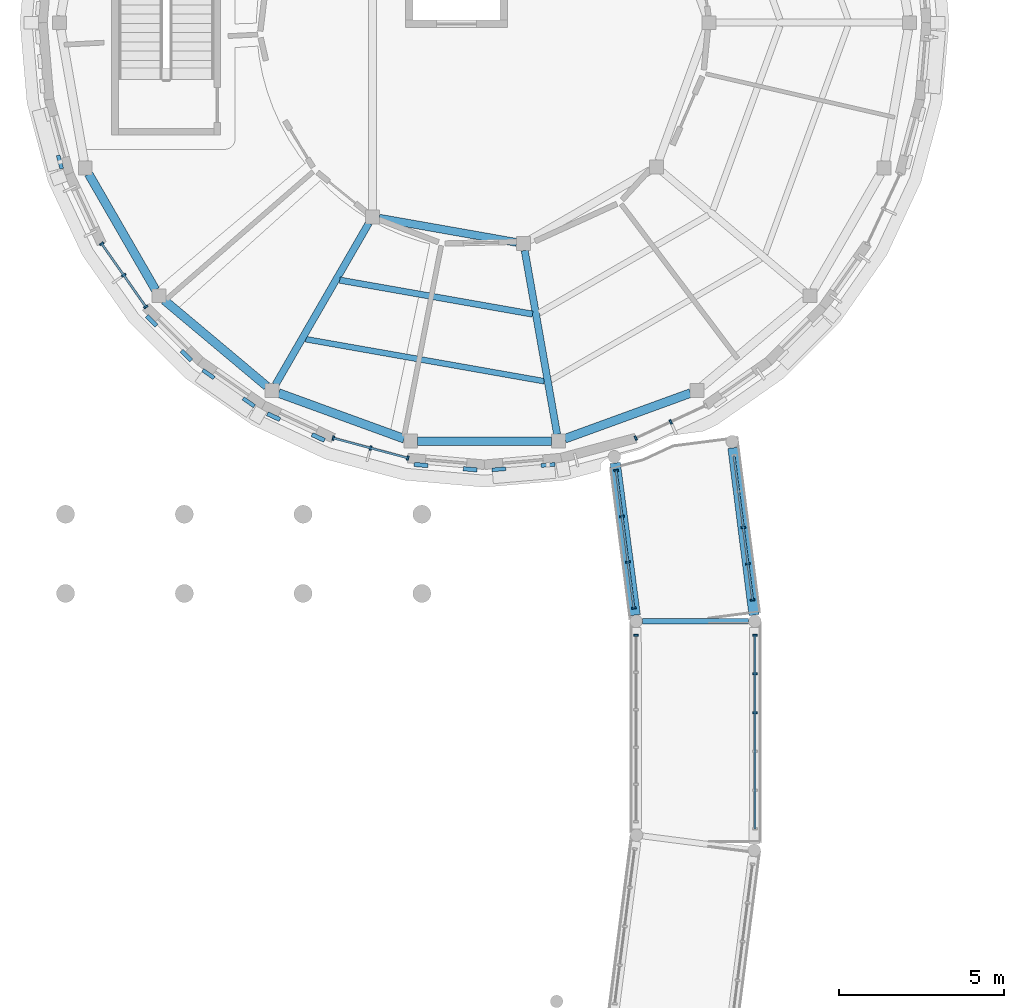
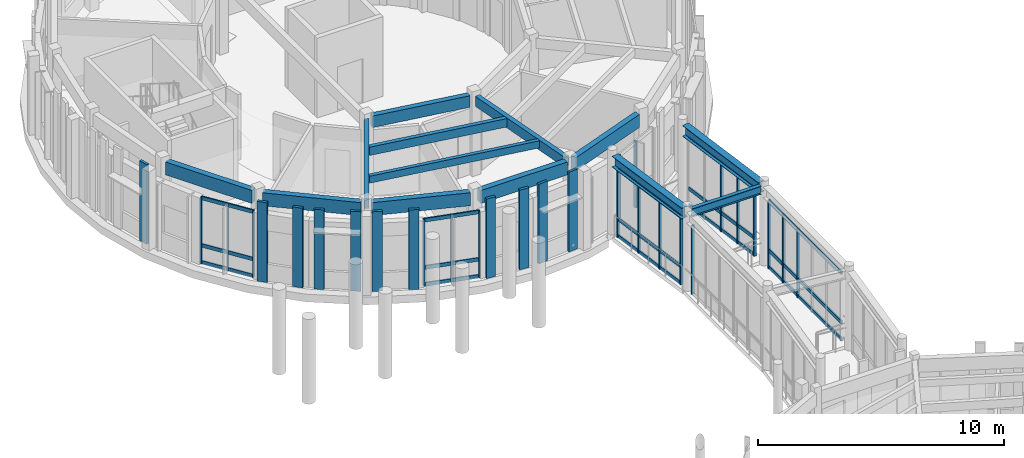
# One storey, part 18 of 80: 45 members, 13 beams, 7 elements without a shape of their own.
"""IFC4 building model written with IfcOpenShell, lengths in metres."""

from ifc_helpers import new_model, si_unit, direction, frame, origin, origin_2d, place, context, subcontext, project, spatial, rectangle, i_section, extrude, material, layer, layer_set, material_profile, profile_set, type_object, element, aggregate, save


model = new_model("IFC4")

# Units and contexts
model_context = context("Model", 3, precision=1e-05, world=origin(), true_north=direction((0.0, 1.0)))
body_context = subcontext(model_context, "Body", "Model", "MODEL_VIEW")
ifc_project = project(units=[si_unit("LENGTHUNIT", "METRE"), si_unit("AREAUNIT", "SQUARE_METRE"), si_unit("VOLUMEUNIT", "CUBIC_METRE"), si_unit("PLANEANGLEUNIT", "RADIAN"), si_unit("MASSUNIT", "GRAM", prefix="KILO")], contexts=[model_context])

# Site, building, storey
site_placement = place(None, origin())
site = spatial("IfcSite", under=ifc_project, at=site_placement, CompositionType="ELEMENT")
building_placement = place(site_placement, origin())
building = spatial("IfcBuilding", under=site, at=building_placement, Name="Aldenvaro Health Centre", CompositionType="ELEMENT")
storey_placement = place(building_placement, frame((0.0, 0.0, 4.550048828125)))
storey = spatial("IfcBuildingStorey", under=building, at=storey_placement, Name="L01", CompositionType="ELEMENT", Elevation=4.550048828125)

# Beams
ifc_material_1 = material(Name="Glulam GL28h", Category="wood")
ifc_material_profile_1 = material_profile(ifc_material_1, rectangle(XDim=0.175048828125, YDim=0.35009765625, at=origin_2d()), Name="GL 175x350", Category="wood")
ifc_profile_set_1 = profile_set([ifc_material_profile_1], Name="Glulam GL28h")
beam_type_1 = type_object("IfcBeamType", Name="BM-GL-350", PredefinedType="JOIST", material=ifc_profile_set_1)
beam_1_placement = place(storey_placement, frame((13.077880859375, 89.906982421875, 3.780029296875), z_axis=(0.984808635893, -0.173643170525, 0.0), x_axis=(0.173643170525, 0.984808635893, 0.0)))
element("IfcBeam", 1, at=beam_1_placement, inside=storey, type_object=beam_type_1, Name="D4 L01 secondary joist 04.2", PredefinedType="JOIST", context=body_context, shape_type="SweptSolid", body=[
    extrude(rectangle(XDim=0.175048828125, YDim=0.35009765625, at=origin_2d()), origin(), (0.0, 0.0, 1.0), 7.34765625),
])
ifc_material_profile_2 = material_profile(ifc_material_1, rectangle(XDim=0.18994140625, YDim=0.41796875, at=origin_2d()), Name="GL 190x418", Category="wood")
ifc_profile_set_2 = profile_set([ifc_material_profile_2], Name="Glulam GL28h")
beam_type_2 = type_object("IfcBeamType", Name="BM-GL-418", PredefinedType="JOIST", material=ifc_profile_set_2)
beam_2_placement = place(storey_placement, frame((14.111083984375, 91.697021484375, 3.745849609375), z_axis=(0.98479184112, -0.173738394329, 0.0), x_axis=(0.173738394329, 0.98479184112, 0.0)))
element("IfcBeam", 2, at=beam_2_placement, inside=storey, type_object=beam_type_2, Name="D4 L01 secondary joist 04.1", PredefinedType="JOIST", context=body_context, shape_type="SweptSolid", body=[
    extrude(rectangle(XDim=0.18994140625, YDim=0.41796875, at=origin_2d()), origin(), (0.0, 0.0, 1.0), 5.934326171875),
])
ifc_material_profile_3 = material_profile(ifc_material_1, rectangle(XDim=0.215087890625, YDim=0.493896484375, at=origin_2d()), Name="GL 215x494", Category="wood")
ifc_profile_set_3 = profile_set([ifc_material_profile_3], Name="Glulam GL28h")
beam_type_3 = type_object("IfcBeamType", Name="BM-GL-494", PredefinedType="BEAM", material=ifc_profile_set_3)
beam_3_placement = place(storey_placement, frame((14.9951171875, 93.428955078125, 3.7080078125), z_axis=(-0.500073465784, -0.865982984139, 0.0), x_axis=(0.865982984139, -0.500073465784, 0.0)))
element("IfcBeam", 3, at=beam_3_placement, inside=storey, type_object=beam_type_3, Name="D4 L01 radial beam 04", PredefinedType="BEAM", context=body_context, shape_type="SweptSolid", body=[
    extrude(rectangle(XDim=0.215087890625, YDim=0.493896484375, at=origin_2d()), origin(), (0.0, 0.0, 1.0), 5.659423828125),
])
beam_4_placement = place(storey_placement, frame((19.717041015625, 92.595947265625, 3.7080078125), z_axis=(0.173856703675, -0.984770961487, 0.0), x_axis=(0.984770961487, 0.173856703675, 0.0)))
element("IfcBeam", 4, at=beam_4_placement, inside=storey, type_object=beam_type_3, Name="D4 L01 radial beam 05", PredefinedType="BEAM", context=body_context, shape_type="SweptSolid", body=[
    extrude(rectangle(XDim=0.215087890625, YDim=0.493896484375, at=origin_2d()), origin(), (0.0, 0.0, 1.0), 5.6591796875),
])
ifc_material_profile_4 = material_profile(ifc_material_1, rectangle(XDim=0.239990234375, YDim=0.570068359375, at=origin_2d()), Name="GL 240x570", Category="wood")
ifc_profile_set_4 = profile_set([ifc_material_profile_4], Name="Glulam GL28h")
beam_type_4 = type_object("IfcBeamType", Name="BM-GL-570", PredefinedType="BEAM", material=ifc_profile_set_4)
beam_5_placement = place(storey_placement, frame((15.306884765625, 93.574951171875, 3.669921875), z_axis=(0.984765548602, -0.173887360917, 0.0), x_axis=(0.173887360917, 0.984765548602, 0.0)))
element("IfcBeam", 5, at=beam_5_placement, inside=storey, type_object=beam_type_4, Name="D4 L01 inner ring beam 04", PredefinedType="BEAM", context=body_context, shape_type="SweptSolid", body=[
    extrude(rectangle(XDim=0.239990234375, YDim=0.570068359375, at=origin_2d()), origin(), (0.0, 0.0, 1.0), 4.231689453125),
])
ifc_material_profile_5 = material_profile(ifc_material_1, rectangle(XDim=0.264892578125, YDim=0.64599609375, at=origin_2d()), Name="GL 265x646", Category="wood")
ifc_profile_set_5 = profile_set([ifc_material_profile_5], Name="Glulam GL28h")
beam_type_5 = type_object("IfcBeamType", Name="BM-GL-646", PredefinedType="SPANDREL", material=ifc_profile_set_5)
beam_6_placement = place(storey_placement, frame((6.501953125, 94.9130859375, 3.6318359375), z_axis=(0.499929300108, -0.866066218539, 0.0), x_axis=(0.866066218539, 0.499929300108, 0.0)))
element("IfcBeam", 6, at=beam_6_placement, inside=storey, type_object=beam_type_5, Name="D4 L01 perimeter spandrel 11", PredefinedType="SPANDREL", context=body_context, shape_type="SweptSolid", body=[
    extrude(rectangle(XDim=0.264892578125, YDim=0.64599609375, at=origin_2d()), origin(), (0.0, 0.0, 1.0), 4.052734375),
])
beam_7_placement = place(storey_placement, frame((8.7939453125, 91.0859375, 3.6318359375), z_axis=(0.766093948171, -0.642728607248, 0.0), x_axis=(0.642728607248, 0.766093948171, 0.0)))
element("IfcBeam", 7, at=beam_7_placement, inside=storey, type_object=beam_type_5, Name="D4 L01 perimeter spandrel 12", PredefinedType="SPANDREL", context=body_context, shape_type="SweptSolid", body=[
    extrude(rectangle(XDim=0.264892578125, YDim=0.64599609375, at=origin_2d()), origin(), (0.0, 0.0, 1.0), 4.052978515625),
])
beam_8_placement = place(storey_placement, frame((12.257080078125, 88.27392578125, 3.6318359375), z_axis=(0.939717777656, -0.341951017483, 0.0), x_axis=(0.341951017483, 0.939717777656, 0.0)))
element("IfcBeam", 8, at=beam_8_placement, inside=storey, type_object=beam_type_5, Name="D4 L01 perimeter spandrel 13", PredefinedType="SPANDREL", context=body_context, shape_type="SweptSolid", body=[
    extrude(rectangle(XDim=0.264892578125, YDim=0.64599609375, at=origin_2d()), origin(), (0.0, 0.0, 1.0), 4.05322265625),
])
beam_9_placement = place(storey_placement, frame((16.472900390625, 86.81591796875, 3.6318359375), z_axis=(1.0, 0.0, 0.0), x_axis=(0.0, 1.0, 0.0)))
element("IfcBeam", 9, at=beam_9_placement, inside=storey, type_object=beam_type_5, Name="D4 L01 perimeter spandrel 14", PredefinedType="SPANDREL", context=body_context, shape_type="SweptSolid", body=[
    extrude(rectangle(XDim=0.264892578125, YDim=0.64599609375, at=origin_2d()), origin(), (0.0, 0.0, 1.0), 4.05419921875),
])
beam_10_placement = place(storey_placement, frame((20.93408203125, 86.887939453125, 3.6318359375), z_axis=(0.939717777656, 0.341951017483, 0.0), x_axis=(-0.341951017483, 0.939717777656, 0.0)))
element("IfcBeam", 10, at=beam_10_placement, inside=storey, type_object=beam_type_5, Name="D4 L01 perimeter spandrel 15", PredefinedType="SPANDREL", context=body_context, shape_type="SweptSolid", body=[
    extrude(rectangle(XDim=0.264892578125, YDim=0.64599609375, at=origin_2d()), origin(), (0.0, 0.0, 1.0), 4.05322265625),
])
ifc_material_2 = material(Name="Steel ASTM A992 Grade 50", Category="steel")
ifc_material_profile_6 = material_profile(ifc_material_2, i_section(OverallWidth=0.180908203125, OverallDepth=0.4169921875, WebThickness=0.010986328125, FlangeThickness=0.018310546875, at=origin_2d()), Name="W16X57", Category="steel")
ifc_profile_set_6 = profile_set([ifc_material_profile_6], Name="Steel ASTM A992 Grade 50")
beam_type_6 = type_object("IfcBeamType", Name="BM-ST-W16E", PredefinedType="JOIST", material=ifc_profile_set_6)
beam_11_placement = place(storey_placement, frame((23.282958984375, 81.35693359375, 3.740966796875), z_axis=(1.0, 0.0, 0.0), x_axis=(0.0, 1.0, 0.0)))
element("IfcBeam", 11, at=beam_11_placement, inside=storey, type_object=beam_type_6, Name="West North Curved Garden Walkway Arc 2 L01 cross beam 2", PredefinedType="JOIST", context=body_context, shape_type="SweptSolid", body=[
    extrude(i_section(OverallWidth=0.180908203125, OverallDepth=0.4169921875, WebThickness=0.010986328125, FlangeThickness=0.018310546875, at=origin_2d()), origin(), (0.0, 0.0, 1.0), 3.219970703125),
])
ifc_material_profile_7 = material_profile(ifc_material_2, i_section(OverallWidth=0.31201171875, OverallDepth=0.54296875, WebThickness=0.0126953125, FlangeThickness=0.020263671875, at=origin_2d()), Name="W21X101", Category="steel")
ifc_profile_set_7 = profile_set([ifc_material_profile_7], Name="Steel ASTM A992 Grade 50")
beam_type_7 = type_object("IfcBeamType", Name="BM-ST-W21E", PredefinedType="BEAM", material=ifc_profile_set_7)
beam_12_placement = place(storey_placement, frame((23.068115234375, 81.544921875, 3.678955078125), z_axis=(-0.130605300109, 0.991434443412, 0.0), x_axis=(-0.991434443412, -0.130605300109, 0.0)))
element("IfcBeam", 12, at=beam_12_placement, inside=storey, type_object=beam_type_7, Name="West North Curved Garden Walkway Arc 3 L01 girder L-1", PredefinedType="BEAM", context=body_context, shape_type="SweptSolid", body=[
    extrude(i_section(OverallWidth=0.31201171875, OverallDepth=0.54296875, WebThickness=0.0126953125, FlangeThickness=0.020263671875, at=origin_2d()), origin(), (0.0, 0.0, 1.0), 4.64892578125),
])
beam_13_placement = place(storey_placement, frame((26.6689453125, 81.5458984375, 3.678955078125), z_axis=(-0.125099559326, 0.992144193279, 0.0), x_axis=(-0.992144193279, -0.125099559326, 0.0)))
element("IfcBeam", 13, at=beam_13_placement, inside=storey, type_object=beam_type_7, Name="West North Curved Garden Walkway Arc 3 L01 girder R-1", PredefinedType="BEAM", context=body_context, shape_type="SweptSolid", body=[
    extrude(i_section(OverallWidth=0.31201171875, OverallDepth=0.54296875, WebThickness=0.0126953125, FlangeThickness=0.020263671875, at=origin_2d()), origin(), (0.0, 0.0, 1.0), 5.107177734375),
])

# Curtain wall, members
ifc_material_3 = material(Name="Anodised Aluminium 6063-T6", Category="aluminium")
ifc_layer_1 = layer(ifc_material_3, 0.195068359375, Name="Anodised Aluminium 6063-T6", Category="aluminium")
ifc_layer_set_1 = layer_set([ifc_layer_1], Name="Anodised Aluminium 6063-T6")
curtain_wall_type_1 = type_object("IfcCurtainWallType", Name="CW-CLN-02", PredefinedType="NOTDEFINED", material=ifc_layer_set_1)
curtain_wall_1_placement = place(storey_placement, origin())
curtain_wall_1 = element("IfcCurtainWall", 14, at=curtain_wall_1_placement, inside=storey, type_object=curtain_wall_type_1, Name="D4 L01 curtain wall bay 07", PredefinedType="NOTDEFINED")
ifc_material_profile_8 = material_profile(ifc_material_3, rectangle(XDim=0.06005859375, YDim=0.135009765625, at=origin_2d()), Name="ALU 60x135", Category="aluminium")
ifc_profile_set_8 = profile_set([ifc_material_profile_8], Name="Anodised Aluminium 6063-T6")
member_type_1 = type_object("IfcMemberType", Name="CWM-150", PredefinedType="MULLION", material=ifc_profile_set_8)
member_1_placement = place(storey_placement, frame((24.14208984375, 87.40087890625, 0.0), z_axis=(0.0, 0.0, 1.0), x_axis=(-0.90633620484, -0.422557314215, 0.0)))
member_1 = element("IfcMember", 15, at=member_1_placement, type_object=member_type_1, Name="D4 L01 curtain wall bay 07 mullion 2", PredefinedType="MULLION", context=body_context, shape_type="SweptSolid", body=[
    extrude(rectangle(XDim=0.06005859375, YDim=0.135009765625, at=origin_2d()), origin(), (0.0, 0.0, 1.0), 3.308837890625),
])
member_2_placement = place(storey_placement, frame((23.0830078125, 86.907958984375, 0.0), z_axis=(0.0, 0.0, 1.0), x_axis=(-0.90633620484, -0.422557314215, 0.0)))
member_2 = element("IfcMember", 16, at=member_2_placement, type_object=member_type_1, Name="D4 L01 curtain wall bay 07 mullion 3", PredefinedType="MULLION", context=body_context, shape_type="SweptSolid", body=[
    extrude(rectangle(XDim=0.06005859375, YDim=0.135009765625, at=origin_2d()), origin(), (0.0, 0.0, 1.0), 3.308837890625),
])
aggregate(curtain_wall_1, [member_1, member_2])

curtain_wall_2_placement = place(storey_placement, origin())
curtain_wall_2 = element("IfcCurtainWall", 17, at=curtain_wall_2_placement, inside=storey, type_object=curtain_wall_type_1, Name="D4 L01 curtain wall bay 11", PredefinedType="NOTDEFINED")
member_3_placement = place(storey_placement, frame((16.173095703125, 86.303955078125, 0.0), z_axis=(0.0, 0.0, 1.0), x_axis=(-0.965978620089, 0.258621935517, 0.0)))
member_3 = element("IfcMember", 18, at=member_3_placement, type_object=member_type_1, Name="D4 L01 curtain wall bay 11 mullion 1", PredefinedType="MULLION", context=body_context, shape_type="SweptSolid", body=[
    extrude(rectangle(XDim=0.06005859375, YDim=0.135009765625, at=origin_2d()), origin(), (0.0, 0.0, 1.0), 3.308837890625),
])
member_4_placement = place(storey_placement, frame((15.044921875, 86.60595703125, 0.0), z_axis=(0.0, 0.0, 1.0), x_axis=(-0.965978620089, 0.258621935517, 0.0)))
member_4 = element("IfcMember", 19, at=member_4_placement, type_object=member_type_1, Name="D4 L01 curtain wall bay 11 mullion 2", PredefinedType="MULLION", context=body_context, shape_type="SweptSolid", body=[
    extrude(rectangle(XDim=0.06005859375, YDim=0.135009765625, at=origin_2d()), origin(), (0.0, 0.0, 1.0), 3.308837890625),
])
member_5_placement = place(storey_placement, frame((13.9169921875, 86.907958984375, 0.0), z_axis=(0.0, 0.0, 1.0), x_axis=(-0.965978620089, 0.258621935517, 0.0)))
member_5 = element("IfcMember", 20, at=member_5_placement, type_object=member_type_1, Name="D4 L01 curtain wall bay 11 mullion 3", PredefinedType="MULLION", context=body_context, shape_type="SweptSolid", body=[
    extrude(rectangle(XDim=0.06005859375, YDim=0.135009765625, at=origin_2d()), origin(), (0.0, 0.0, 1.0), 3.308837890625),
])

curtain_wall_3_placement = place(storey_placement, origin())
curtain_wall_3 = element("IfcCurtainWall", 21, at=curtain_wall_3_placement, inside=storey, type_object=curtain_wall_type_1, Name="D4 L01 curtain wall bay 15", PredefinedType="NOTDEFINED")
member_6_placement = place(storey_placement, frame((8.235107421875, 90.886962890625, 0.0), z_axis=(0.0, 0.0, 1.0), x_axis=(-0.573720929857, 0.819050849853, 0.0)))
member_6 = element("IfcMember", 22, at=member_6_placement, type_object=member_type_1, Name="D4 L01 curtain wall bay 15 mullion 1", PredefinedType="MULLION", context=body_context, shape_type="SweptSolid", body=[
    extrude(rectangle(XDim=0.06005859375, YDim=0.135009765625, at=origin_2d()), origin(), (0.0, 0.0, 1.0), 3.308837890625),
])
member_7_placement = place(storey_placement, frame((7.56494140625, 91.843994140625, 0.0), z_axis=(0.0, 0.0, 1.0), x_axis=(-0.573720929857, 0.819050849853, 0.0)))
member_7 = element("IfcMember", 23, at=member_7_placement, type_object=member_type_1, Name="D4 L01 curtain wall bay 15 mullion 2", PredefinedType="MULLION", context=body_context, shape_type="SweptSolid", body=[
    extrude(rectangle(XDim=0.06005859375, YDim=0.135009765625, at=origin_2d()), origin(), (0.0, 0.0, 1.0), 3.308837890625),
])
member_8_placement = place(storey_placement, frame((6.89501953125, 92.800048828125, 0.0), z_axis=(0.0, 0.0, 1.0), x_axis=(-0.573720929857, 0.819050849853, 0.0)))
member_8 = element("IfcMember", 24, at=member_8_placement, type_object=member_type_1, Name="D4 L01 curtain wall bay 15 mullion 3", PredefinedType="MULLION", context=body_context, shape_type="SweptSolid", body=[
    extrude(rectangle(XDim=0.06005859375, YDim=0.135009765625, at=origin_2d()), origin(), (0.0, 0.0, 1.0), 3.308837890625),
])

# Curtain wall, member
ifc_layer_2 = layer(ifc_material_3, 0.2099609375, Name="Anodised Aluminium 6063-T6", Category="aluminium")
ifc_layer_set_2 = layer_set([ifc_layer_2], Name="Anodised Aluminium 6063-T6")
curtain_wall_type_2 = type_object("IfcCurtainWallType", Name="CW-BRG-03", PredefinedType="NOTDEFINED", material=ifc_layer_set_2)
curtain_wall_4_placement = place(storey_placement, origin())
curtain_wall_4 = element("IfcCurtainWall", 25, at=curtain_wall_4_placement, inside=storey, type_object=curtain_wall_type_2, Name="West North Curved Garden Walkway Arc 2 L01 glazed link wall L-1.1", PredefinedType="NOTDEFINED")
member_9_placement = place(storey_placement, frame((23.093017578125, 80.93701171875, 0.0), z_axis=(0.0, 0.0, 1.0), x_axis=(0.0, 1.0, 0.0)))
member_9 = element("IfcMember", 26, at=member_9_placement, type_object=member_type_1, Name="West North Curved Garden Walkway Arc 2 L01 glazed link wall L-1.1 mullion 6", PredefinedType="MULLION", context=body_context, shape_type="SweptSolid", body=[
    extrude(rectangle(XDim=0.06005859375, YDim=0.135009765625, at=origin_2d()), origin(), (0.0, 0.0, 1.0), 3.409912109375),
])
aggregate(curtain_wall_4, [member_9])

# Curtain wall, members
curtain_wall_5_placement = place(storey_placement, origin())
curtain_wall_5 = element("IfcCurtainWall", 27, at=curtain_wall_5_placement, inside=storey, type_object=curtain_wall_type_2, Name="West North Curved Garden Walkway Arc 2 L01 glazed link wall R-1.1", PredefinedType="NOTDEFINED")
member_10_placement = place(storey_placement, frame((26.693115234375, 78.5869140625, 0.0), z_axis=(0.0, 0.0, 1.0), x_axis=(0.0, 1.0, 0.0)))
member_10 = element("IfcMember", 28, at=member_10_placement, type_object=member_type_1, Name="West North Curved Garden Walkway Arc 2 L01 glazed link wall R-1.1 mullion 4", PredefinedType="MULLION", context=body_context, shape_type="SweptSolid", body=[
    extrude(rectangle(XDim=0.06005859375, YDim=0.135009765625, at=origin_2d()), origin(), (0.0, 0.0, 1.0), 3.409912109375),
])
member_11_placement = place(storey_placement, frame((26.693115234375, 79.761962890625, 0.0), z_axis=(0.0, 0.0, 1.0), x_axis=(0.0, 1.0, 0.0)))
member_11 = element("IfcMember", 29, at=member_11_placement, type_object=member_type_1, Name="West North Curved Garden Walkway Arc 2 L01 glazed link wall R-1.1 mullion 5", PredefinedType="MULLION", context=body_context, shape_type="SweptSolid", body=[
    extrude(rectangle(XDim=0.06005859375, YDim=0.135009765625, at=origin_2d()), origin(), (0.0, 0.0, 1.0), 3.409912109375),
])
member_12_placement = place(storey_placement, frame((26.693115234375, 80.93701171875, 0.0), z_axis=(0.0, 0.0, 1.0), x_axis=(0.0, 1.0, 0.0)))
member_12 = element("IfcMember", 30, at=member_12_placement, type_object=member_type_1, Name="West North Curved Garden Walkway Arc 2 L01 glazed link wall R-1.1 mullion 6", PredefinedType="MULLION", context=body_context, shape_type="SweptSolid", body=[
    extrude(rectangle(XDim=0.06005859375, YDim=0.135009765625, at=origin_2d()), origin(), (0.0, 0.0, 1.0), 3.409912109375),
])

curtain_wall_6_placement = place(storey_placement, origin())
curtain_wall_6 = element("IfcCurtainWall", 31, at=curtain_wall_6_placement, inside=storey, type_object=curtain_wall_type_2, Name="West North Curved Garden Walkway Arc 3 L01 glazed link wall L-1.1", PredefinedType="NOTDEFINED")
member_13_placement = place(storey_placement, frame((23.02587890625, 81.760986328125, 0.0), z_axis=(0.0, 0.0, 1.0), x_axis=(-0.127669024913, 0.991816827886, 0.0)))
member_13 = element("IfcMember", 32, at=member_13_placement, type_object=member_type_1, Name="West North Curved Garden Walkway Arc 3 L01 glazed link wall L-1.1 mullion 1", PredefinedType="MULLION", context=body_context, shape_type="SweptSolid", body=[
    extrude(rectangle(XDim=0.06005859375, YDim=0.135009765625, at=origin_2d()), origin(), (0.0, 0.0, 1.0), 3.409912109375),
])
member_14_placement = place(storey_placement, frame((22.846923828125, 83.14892578125, 0.0), z_axis=(0.0, 0.0, 1.0), x_axis=(-0.127669024913, 0.991816827886, 0.0)))
member_14 = element("IfcMember", 33, at=member_14_placement, type_object=member_type_1, Name="West North Curved Garden Walkway Arc 3 L01 glazed link wall L-1.1 mullion 2", PredefinedType="MULLION", context=body_context, shape_type="SweptSolid", body=[
    extrude(rectangle(XDim=0.06005859375, YDim=0.135009765625, at=origin_2d()), origin(), (0.0, 0.0, 1.0), 3.409912109375),
])
member_15_placement = place(storey_placement, frame((22.6689453125, 84.537109375, 0.0), z_axis=(0.0, 0.0, 1.0), x_axis=(-0.127669024913, 0.991816827886, 0.0)))
member_15 = element("IfcMember", 34, at=member_15_placement, type_object=member_type_1, Name="West North Curved Garden Walkway Arc 3 L01 glazed link wall L-1.1 mullion 3", PredefinedType="MULLION", context=body_context, shape_type="SweptSolid", body=[
    extrude(rectangle(XDim=0.06005859375, YDim=0.135009765625, at=origin_2d()), origin(), (0.0, 0.0, 1.0), 3.409912109375),
])
member_16_placement = place(storey_placement, frame((22.489990234375, 85.925048828125, 0.0), z_axis=(0.0, 0.0, 1.0), x_axis=(-0.127669024913, 0.991816827886, 0.0)))
member_16 = element("IfcMember", 35, at=member_16_placement, type_object=member_type_1, Name="West North Curved Garden Walkway Arc 3 L01 glazed link wall L-1.1 mullion 4", PredefinedType="MULLION", context=body_context, shape_type="SweptSolid", body=[
    extrude(rectangle(XDim=0.06005859375, YDim=0.135009765625, at=origin_2d()), origin(), (0.0, 0.0, 1.0), 3.409912109375),
])

curtain_wall_7_placement = place(storey_placement, origin())
curtain_wall_7 = element("IfcCurtainWall", 36, at=curtain_wall_7_placement, inside=storey, type_object=curtain_wall_type_2, Name="West North Curved Garden Walkway Arc 3 L01 glazed link wall R-1.1", PredefinedType="NOTDEFINED")
member_17_placement = place(storey_placement, frame((26.625, 82.00390625, 0.0), z_axis=(0.0, 0.0, 1.0), x_axis=(-0.127906689452, 0.991786206192, 0.0)))
member_17 = element("IfcMember", 37, at=member_17_placement, type_object=member_type_1, Name="West North Curved Garden Walkway Arc 3 L01 glazed link wall R-1.1 mullion 1", PredefinedType="MULLION", context=body_context, shape_type="SweptSolid", body=[
    extrude(rectangle(XDim=0.06005859375, YDim=0.135009765625, at=origin_2d()), origin(), (0.0, 0.0, 1.0), 3.409912109375),
])
member_18_placement = place(storey_placement, frame((26.48388671875, 83.09912109375, 0.0), z_axis=(0.0, 0.0, 1.0), x_axis=(-0.127906689452, 0.991786206192, 0.0)))
member_18 = element("IfcMember", 38, at=member_18_placement, type_object=member_type_1, Name="West North Curved Garden Walkway Arc 3 L01 glazed link wall R-1.1 mullion 2", PredefinedType="MULLION", context=body_context, shape_type="SweptSolid", body=[
    extrude(rectangle(XDim=0.06005859375, YDim=0.135009765625, at=origin_2d()), origin(), (0.0, 0.0, 1.0), 3.409912109375),
])
member_19_placement = place(storey_placement, frame((26.343017578125, 84.195068359375, 0.0), z_axis=(0.0, 0.0, 1.0), x_axis=(-0.127906689452, 0.991786206192, 0.0)))
member_19 = element("IfcMember", 39, at=member_19_placement, type_object=member_type_1, Name="West North Curved Garden Walkway Arc 3 L01 glazed link wall R-1.1 mullion 3", PredefinedType="MULLION", context=body_context, shape_type="SweptSolid", body=[
    extrude(rectangle(XDim=0.06005859375, YDim=0.135009765625, at=origin_2d()), origin(), (0.0, 0.0, 1.0), 3.409912109375),
])

# Member
ifc_material_profile_9 = material_profile(ifc_material_3, rectangle(XDim=0.06494140625, YDim=0.179931640625, at=origin_2d()), Name="ALU 65x180", Category="aluminium")
ifc_profile_set_9 = profile_set([ifc_material_profile_9], Name="Anodised Aluminium 6063-T6")
member_type_2 = type_object("IfcMemberType", Name="CWT-150", PredefinedType="USERDEFINED", material=ifc_profile_set_9)
member_20_placement = place(storey_placement, frame((16.173095703125, 86.303955078125, 0.06005859375), z_axis=(-0.965981166673, 0.258612423585, 0.0), x_axis=(-0.258612423585, -0.965981166673, 0.0)))
member_20 = element("IfcMember", 40, at=member_20_placement, type_object=member_type_2, Name="D4 L01 curtain wall bay 11 transom 1", ObjectType="TRANSOM", PredefinedType="USERDEFINED", context=body_context, shape_type="SweptSolid", body=[
    extrude(rectangle(XDim=0.06494140625, YDim=0.179931640625, at=origin_2d()), origin(), (0.0, 0.0, 1.0), 2.33544921875),
])

member_21_placement = place(storey_placement, frame((16.173095703125, 86.303955078125, 0.89990234375), z_axis=(-0.965981166673, 0.258612423585, 0.0), x_axis=(-0.258612423585, -0.965981166673, 0.0)))
member_21 = element("IfcMember", 41, at=member_21_placement, type_object=member_type_2, Name="D4 L01 curtain wall bay 11 transom 2", ObjectType="TRANSOM", PredefinedType="USERDEFINED", context=body_context, shape_type="SweptSolid", body=[
    extrude(rectangle(XDim=0.06494140625, YDim=0.179931640625, at=origin_2d()), origin(), (0.0, 0.0, 1.0), 2.33544921875),
])

member_22_placement = place(storey_placement, frame((16.173095703125, 86.303955078125, 3.2490234375), z_axis=(-0.965981166673, 0.258612423585, 0.0), x_axis=(-0.258612423585, -0.965981166673, 0.0)))
member_22 = element("IfcMember", 42, at=member_22_placement, type_object=member_type_2, Name="D4 L01 curtain wall bay 11 transom 3", ObjectType="TRANSOM", PredefinedType="USERDEFINED", context=body_context, shape_type="SweptSolid", body=[
    extrude(rectangle(XDim=0.06494140625, YDim=0.179931640625, at=origin_2d()), origin(), (0.0, 0.0, 1.0), 2.33544921875),
])

aggregate(curtain_wall_2, [member_3, member_4, member_5, member_20, member_21, member_22])

member_23_placement = place(storey_placement, frame((8.235107421875, 90.886962890625, 0.06005859375), z_axis=(-0.573728883722, 0.819045278347, 0.0), x_axis=(-0.819045278347, -0.573728883722, 0.0)))
member_23 = element("IfcMember", 43, at=member_23_placement, type_object=member_type_2, Name="D4 L01 curtain wall bay 15 transom 1", ObjectType="TRANSOM", PredefinedType="USERDEFINED", context=body_context, shape_type="SweptSolid", body=[
    extrude(rectangle(XDim=0.06494140625, YDim=0.179931640625, at=origin_2d()), origin(), (0.0, 0.0, 1.0), 2.335693359375),
])

member_24_placement = place(storey_placement, frame((8.235107421875, 90.886962890625, 0.89990234375), z_axis=(-0.573728883722, 0.819045278347, 0.0), x_axis=(-0.819045278347, -0.573728883722, 0.0)))
member_24 = element("IfcMember", 44, at=member_24_placement, type_object=member_type_2, Name="D4 L01 curtain wall bay 15 transom 2", ObjectType="TRANSOM", PredefinedType="USERDEFINED", context=body_context, shape_type="SweptSolid", body=[
    extrude(rectangle(XDim=0.06494140625, YDim=0.179931640625, at=origin_2d()), origin(), (0.0, 0.0, 1.0), 2.335693359375),
])

member_25_placement = place(storey_placement, frame((8.235107421875, 90.886962890625, 3.2490234375), z_axis=(-0.573728883722, 0.819045278347, 0.0), x_axis=(-0.819045278347, -0.573728883722, 0.0)))
member_25 = element("IfcMember", 45, at=member_25_placement, type_object=member_type_2, Name="D4 L01 curtain wall bay 15 transom 3", ObjectType="TRANSOM", PredefinedType="USERDEFINED", context=body_context, shape_type="SweptSolid", body=[
    extrude(rectangle(XDim=0.06494140625, YDim=0.179931640625, at=origin_2d()), origin(), (0.0, 0.0, 1.0), 2.335693359375),
])

aggregate(curtain_wall_3, [member_6, member_7, member_8, member_23, member_24, member_25])

member_26_placement = place(storey_placement, frame((26.693115234375, 75.06298828125, 0.06005859375), z_axis=(0.0, 1.0, 0.0), x_axis=(-1.0, 0.0, 0.0)))
member_26 = element("IfcMember", 46, at=member_26_placement, type_object=member_type_2, Name="West North Curved Garden Walkway Arc 2 L01 glazed link wall R-1.1 transom 1", ObjectType="TRANSOM", PredefinedType="USERDEFINED", context=body_context, shape_type="SweptSolid", body=[
    extrude(rectangle(XDim=0.06494140625, YDim=0.179931640625, at=origin_2d()), origin(), (0.0, 0.0, 1.0), 5.8740234375),
])

member_27_placement = place(storey_placement, frame((26.693115234375, 75.06298828125, 0.89990234375), z_axis=(0.0, 1.0, 0.0), x_axis=(-1.0, 0.0, 0.0)))
member_27 = element("IfcMember", 47, at=member_27_placement, type_object=member_type_2, Name="West North Curved Garden Walkway Arc 2 L01 glazed link wall R-1.1 transom 2", ObjectType="TRANSOM", PredefinedType="USERDEFINED", context=body_context, shape_type="SweptSolid", body=[
    extrude(rectangle(XDim=0.06494140625, YDim=0.179931640625, at=origin_2d()), origin(), (0.0, 0.0, 1.0), 5.8740234375),
])

member_28_placement = place(storey_placement, frame((26.693115234375, 75.06298828125, 3.349853515625), z_axis=(0.0, 1.0, 0.0), x_axis=(-1.0, 0.0, 0.0)))
member_28 = element("IfcMember", 48, at=member_28_placement, type_object=member_type_2, Name="West North Curved Garden Walkway Arc 2 L01 glazed link wall R-1.1 transom 3", ObjectType="TRANSOM", PredefinedType="USERDEFINED", context=body_context, shape_type="SweptSolid", body=[
    extrude(rectangle(XDim=0.06494140625, YDim=0.179931640625, at=origin_2d()), origin(), (0.0, 0.0, 1.0), 5.8740234375),
])

aggregate(curtain_wall_5, [member_10, member_11, member_12, member_26, member_27, member_28])

member_29_placement = place(storey_placement, frame((23.02587890625, 81.760986328125, 0.06005859375), z_axis=(-0.12764105529, 0.991820427802, 0.0), x_axis=(-0.991820427802, -0.12764105529, 0.0)))
member_29 = element("IfcMember", 49, at=member_29_placement, type_object=member_type_2, Name="West North Curved Garden Walkway Arc 3 L01 glazed link wall L-1.1 transom 1", ObjectType="TRANSOM", PredefinedType="USERDEFINED", context=body_context, shape_type="SweptSolid", body=[
    extrude(rectangle(XDim=0.06494140625, YDim=0.179931640625, at=origin_2d()), origin(), (0.0, 0.0, 1.0), 4.198486328125),
])

member_30_placement = place(storey_placement, frame((23.02587890625, 81.760986328125, 0.89990234375), z_axis=(-0.12764105529, 0.991820427802, 0.0), x_axis=(-0.991820427802, -0.12764105529, 0.0)))
member_30 = element("IfcMember", 50, at=member_30_placement, type_object=member_type_2, Name="West North Curved Garden Walkway Arc 3 L01 glazed link wall L-1.1 transom 2", ObjectType="TRANSOM", PredefinedType="USERDEFINED", context=body_context, shape_type="SweptSolid", body=[
    extrude(rectangle(XDim=0.06494140625, YDim=0.179931640625, at=origin_2d()), origin(), (0.0, 0.0, 1.0), 4.198486328125),
])

member_31_placement = place(storey_placement, frame((23.02587890625, 81.760986328125, 3.349853515625), z_axis=(-0.12764105529, 0.991820427802, 0.0), x_axis=(-0.991820427802, -0.12764105529, 0.0)))
member_31 = element("IfcMember", 51, at=member_31_placement, type_object=member_type_2, Name="West North Curved Garden Walkway Arc 3 L01 glazed link wall L-1.1 transom 3", ObjectType="TRANSOM", PredefinedType="USERDEFINED", context=body_context, shape_type="SweptSolid", body=[
    extrude(rectangle(XDim=0.06494140625, YDim=0.179931640625, at=origin_2d()), origin(), (0.0, 0.0, 1.0), 4.198486328125),
])

aggregate(curtain_wall_6, [member_13, member_14, member_15, member_16, member_29, member_30, member_31])

member_32_placement = place(storey_placement, frame((26.625, 82.00390625, 0.06005859375), z_axis=(-0.12789066936, 0.991788272108, 0.0), x_axis=(-0.991788272108, -0.12789066936, 0.0)))
member_32 = element("IfcMember", 52, at=member_32_placement, type_object=member_type_2, Name="West North Curved Garden Walkway Arc 3 L01 glazed link wall R-1.1 transom 1", ObjectType="TRANSOM", PredefinedType="USERDEFINED", context=body_context, shape_type="SweptSolid", body=[
    extrude(rectangle(XDim=0.06494140625, YDim=0.179931640625, at=origin_2d()), origin(), (0.0, 0.0, 1.0), 4.41748046875),
])

member_33_placement = place(storey_placement, frame((26.625, 82.00390625, 0.89990234375), z_axis=(-0.12789066936, 0.991788272108, 0.0), x_axis=(-0.991788272108, -0.12789066936, 0.0)))
member_33 = element("IfcMember", 53, at=member_33_placement, type_object=member_type_2, Name="West North Curved Garden Walkway Arc 3 L01 glazed link wall R-1.1 transom 2", ObjectType="TRANSOM", PredefinedType="USERDEFINED", context=body_context, shape_type="SweptSolid", body=[
    extrude(rectangle(XDim=0.06494140625, YDim=0.179931640625, at=origin_2d()), origin(), (0.0, 0.0, 1.0), 4.41748046875),
])

member_34_placement = place(storey_placement, frame((26.625, 82.00390625, 3.349853515625), z_axis=(-0.12789066936, 0.991788272108, 0.0), x_axis=(-0.991788272108, -0.12789066936, 0.0)))
member_34 = element("IfcMember", 54, at=member_34_placement, type_object=member_type_2, Name="West North Curved Garden Walkway Arc 3 L01 glazed link wall R-1.1 transom 3", ObjectType="TRANSOM", PredefinedType="USERDEFINED", context=body_context, shape_type="SweptSolid", body=[
    extrude(rectangle(XDim=0.06494140625, YDim=0.179931640625, at=origin_2d()), origin(), (0.0, 0.0, 1.0), 4.41748046875),
])

aggregate(curtain_wall_7, [member_17, member_18, member_19, member_32, member_33, member_34])

# Members
ifc_material_profile_10 = material_profile(ifc_material_1, rectangle(XDim=0.114990234375, YDim=0.419921875, at=origin_2d()), Name="GL 115x420", Category="wood")
ifc_profile_set_10 = profile_set([ifc_material_profile_10], Name="Glulam GL28h")
member_type_3 = type_object("IfcMemberType", Name="MEM-SLT-420A", PredefinedType="POST", material=ifc_profile_set_10)
for number, where, z_axis, x_axis, name in (
    (55, (20.424072265625, 86.093017578125, 0.0), (0.0, 0.0, 1.0), (0.087331575855, -0.996179299052, 0.0), "D4 L01 vertical timber slat 9.1"),
    (56, (18.93408203125, 85.9619140625, 0.0), (0.0, 0.0, 1.0), (0.087331575855, -0.996179299052, 0.0), "D4 L01 vertical timber slat 9.3"),
    (57, (11.35595703125, 87.992919921875, 0.0), (0.0, 0.0, 1.0), (-0.573720929857, -0.819050849853, 0.0), "D4 L01 vertical timber slat 13.1"),
    (58, (10.131103515625, 88.85107421875, 0.0), (0.0, 0.0, 1.0), (-0.573720929857, -0.819050849853, 0.0), "D4 L01 vertical timber slat 13.3"),
    (59, (5.6298828125, 95.277099609375, 0.0), (0.0, 0.0, 1.0), (-0.965978620089, -0.258621935517, 0.0), "D4 L01 vertical timber slat 17.1"),
):
    element("IfcMember", number, at=place(storey_placement, frame(where, z_axis=z_axis, x_axis=x_axis)), inside=storey, type_object=member_type_3, Name=name, PredefinedType="POST", context=body_context, shape_type="SweptSolid", body=[
        extrude(rectangle(XDim=0.114990234375, YDim=0.419921875, at=origin_2d()), origin(), (0.0, 0.0, 1.0), 3.954833984375),
    ])
ifc_material_profile_11 = material_profile(ifc_material_1, rectangle(XDim=0.1298828125, YDim=0.419921875, at=origin_2d()), Name="GL 130x420", Category="wood")
ifc_profile_set_11 = profile_set([ifc_material_profile_11], Name="Glulam GL28h")
member_type_4 = type_object("IfcMemberType", Name="MEM-SLT-420B", PredefinedType="POST", material=ifc_profile_set_11)
for number, where, z_axis, x_axis, name in (
    (60, (18.06591796875, 85.9619140625, 0.0), (0.0, 0.0, 1.0), (-0.087331575855, -0.996179299052, 0.0), "D4 L01 vertical timber slat 10.1"),
    (61, (16.575927734375, 86.093017578125, 0.0), (0.0, 0.0, 1.0), (-0.087331575855, -0.996179299052, 0.0), "D4 L01 vertical timber slat 10.3"),
    (62, (13.4619140625, 86.927001953125, 0.0), (0.0, 0.0, 1.0), (-0.422557314215, -0.90633620484, 0.0), "D4 L01 vertical timber slat 12.1"),
    (63, (12.10693359375, 87.55908203125, 0.0), (0.0, 0.0, 1.0), (-0.422557314215, -0.90633620484, 0.0), "D4 L01 vertical timber slat 12.3"),
    (64, (9.466064453125, 89.407958984375, 0.0), (0.0, 0.0, 1.0), (-0.707106781187, -0.707106781187, 0.0), "D4 L01 vertical timber slat 14.1"),
    (65, (8.407958984375, 90.466064453125, 0.0), (0.0, 0.0, 1.0), (-0.707106781187, -0.707106781187, 0.0), "D4 L01 vertical timber slat 14.3"),
):
    element("IfcMember", number, at=place(storey_placement, frame(where, z_axis=z_axis, x_axis=x_axis)), inside=storey, type_object=member_type_4, Name=name, PredefinedType="POST", context=body_context, shape_type="SweptSolid", body=[
        extrude(rectangle(XDim=0.1298828125, YDim=0.419921875, at=origin_2d()), origin(), (0.0, 0.0, 1.0), 3.954833984375),
    ])

save(model, "model.ifc")
